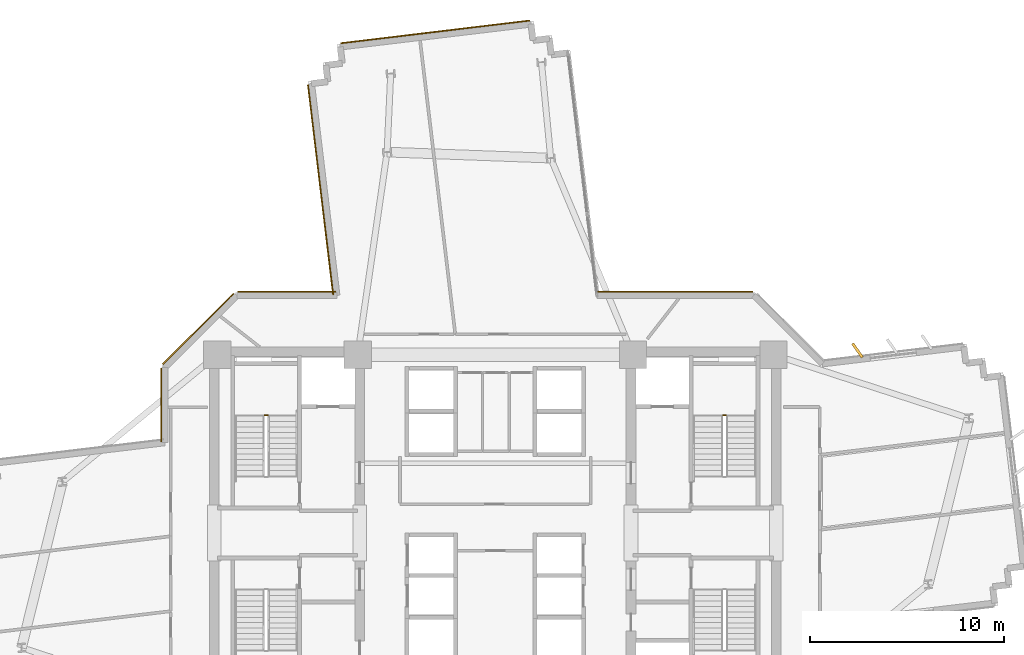
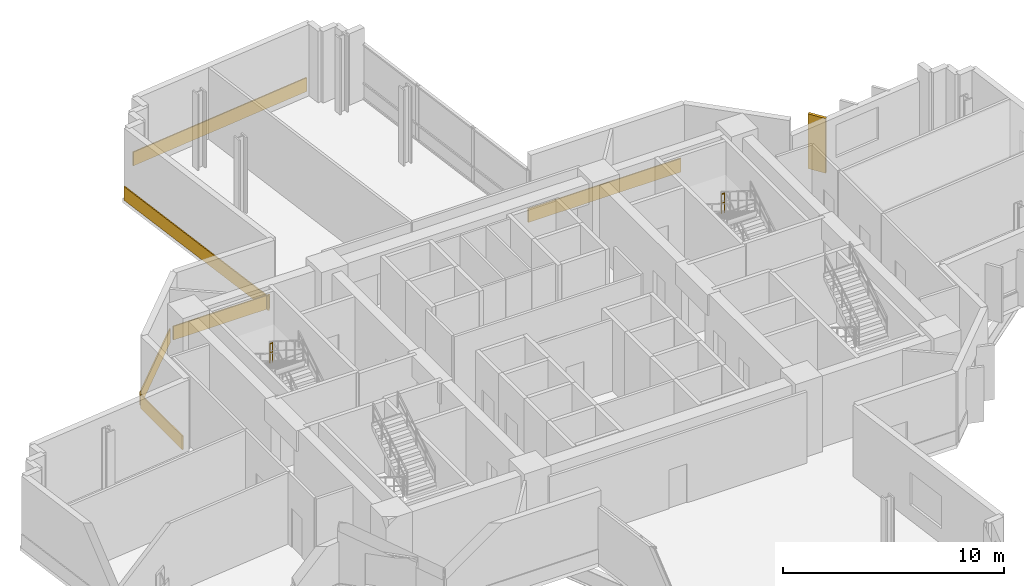
# One storey, part 14 of 15: 7 coverings, 2 railings.
"""IFC4 building model written with IfcOpenShell, lengths in metres."""

from ifc_helpers import new_model, si_unit, direction, frame, origin, origin_2d, place, context, subcontext, project, spatial, rectangle, extrude, source, transform, mapped, material, layer, layer_set, type_object, element, save


model = new_model("IFC4")

# Units and contexts
model_context = context("Model", 3, precision=1e-05, world=origin(), true_north=direction((0.0, 1.0)))
body_context = subcontext(model_context, "Body", "Model", "MODEL_VIEW")
ifc_project = project(units=[si_unit("LENGTHUNIT", "METRE"), si_unit("AREAUNIT", "SQUARE_METRE"), si_unit("VOLUMEUNIT", "CUBIC_METRE"), si_unit("PLANEANGLEUNIT", "RADIAN"), si_unit("MASSUNIT", "GRAM", prefix="KILO")], contexts=[model_context])

# Site, building, storey
site_placement = place(None, origin())
site = spatial("IfcSite", under=ifc_project, at=site_placement, CompositionType="ELEMENT")
building_placement = place(site_placement, origin())
building = spatial("IfcBuilding", under=site, at=building_placement, Name="Zahravan Cultural Tower", CompositionType="ELEMENT")
storey_placement = place(building_placement, frame((0.0, 0.0, 113.10009765625)))
storey = spatial("IfcBuildingStorey", under=building, at=storey_placement, Name="L25", CompositionType="ELEMENT", Elevation=113.10009765625)

# Railings
ifc_material_1 = material(Name="Steel ASTM A572 Grade 50", Category="steel")
railing_type = type_object("IfcRailingType", Name="RL-STAIR-GRD1150", PredefinedType="BALUSTRADE", material=ifc_material_1)
for number, where, name in (
    (1, (24.25, 33.080078125, 2.099853515625), "L25 ST-W1 stair guard 2"),
    (2, (47.89990234375, 33.080078125, 2.099853515625), "L25 ST-E1 stair guard 2"),
):
    element("IfcRailing", number, at=place(storey_placement, frame(where)), inside=storey, type_object=railing_type, Name=name, PredefinedType="BALUSTRADE", context=body_context, shape_type="SweptSolid", body=[
        extrude(rectangle(XDim=0.05, YDim=0.05, at=origin_2d()), frame((0.0, 0.0, 1.0751953125), z_axis=(-1.0, 0.0, 0.0), x_axis=(0.0, -1.0, 0.0)), (0.0, 0.0, 1.0), 0.14990234375),
        extrude(rectangle(XDim=0.032, YDim=0.032, at=origin_2d()), frame((0.0, 0.0, 0.572021484375), z_axis=(-1.0, 0.0, 0.0), x_axis=(0.0, -1.0, 0.0)), (0.0, 0.0, 1.0), 0.14990234375),
        extrude(rectangle(XDim=0.04, YDim=0.04, at=origin_2d()), origin(), (0.0, 0.0, 1.0), 1.10009765625),
        extrude(rectangle(XDim=0.04, YDim=0.04, at=origin_2d()), frame((-0.14990234375, 0.0, 0.0)), (0.0, 0.0, 1.0), 1.10009765625),
    ])

# Coverings
ifc_material_2 = material(Name="Terracotta ceramic cladding", Category="masonry")
ifc_layer = layer(ifc_material_2, 0.06005859375)
ifc_layer_set = layer_set([ifc_layer], Name="Terracotta ceramic cladding")
covering_type = type_object("IfcCoveringType", Name="COV-CLAD-TC60", PredefinedType="CLADDING", material=ifc_layer_set)
shared_shape_1 = source(origin(), body_context, "Body", "SweptSolid", [
    extrude(rectangle(XDim=9.820068359375, YDim=0.06005859375, at=origin_2d()), origin(), (0.0, 0.0, 1.0), 0.760009765625),
])
covering_1_placement = place(storey_placement, frame((32.898193359375, 52.859619140625, 0.02001953125), z_axis=(0.0, 0.0, 1.0), x_axis=(0.992884683056, 0.119079831006, 0.0)))
element("IfcCovering", 3, at=covering_1_placement, inside=storey, type_object=covering_type, Name="L25 Terracotta Spandrel Cladding 46", PredefinedType="CLADDING", context=body_context, shape_type="MappedRepresentation", body=[
    mapped(shared_shape_1, transform((0.0, 0.0, 0.0), x_axis=(1.0, 0.0, 0.0), y_axis=(0.0, 1.0, 0.0), z_axis=(0.0, 0.0, 1.0), scale=1.0)),
])
shared_shape_2 = source(origin(), body_context, "Body", "SweptSolid", [
    extrude(rectangle(XDim=5.157958984375, YDim=0.06005859375, at=origin_2d()), origin(), (0.0, 0.0, 1.0), 0.760009765625),
])
covering_2_placement = place(storey_placement, frame((20.668212890625, 37.53173828125, 0.02001953125), z_axis=(0.0, 0.0, 1.0), x_axis=(0.707106781187, 0.707106781187, 0.0)))
element("IfcCovering", 4, at=covering_2_placement, inside=storey, type_object=covering_type, Name="L25 Terracotta Spandrel Cladding 39", PredefinedType="CLADDING", context=body_context, shape_type="MappedRepresentation", body=[
    mapped(shared_shape_2, transform((0.0, 0.0, 0.0), x_axis=(1.0, 0.0, 0.0), y_axis=(0.0, 1.0, 0.0), z_axis=(0.0, 0.0, 1.0), scale=1.0)),
])
shared_shape_3 = source(origin(), body_context, "Body", "SweptSolid", [
    extrude(rectangle(XDim=0.8798828125, YDim=0.139892578125, at=origin_2d()), origin(), (0.0, 0.0, 1.0), 3.030029296875),
])
covering_3_placement = place(storey_placement, frame((54.68603515625, 36.422607421875, 0.0498046875), z_axis=(0.0, 0.0, 1.0), x_axis=(-0.571286698852, 0.820750575823, 0.0)))
element("IfcCovering", 5, at=covering_3_placement, inside=storey, type_object=covering_type, Name="L25 Herringbone Terracotta Fin 01", PredefinedType="CLADDING", context=body_context, shape_type="MappedRepresentation", body=[
    mapped(shared_shape_3, transform((0.0, 0.0, 0.0), x_axis=(1.0, 0.0, 0.0), y_axis=(0.0, 1.0, 0.0), z_axis=(0.0, 0.0, 1.0), scale=1.0)),
])
shared_shape_4 = source(origin(), body_context, "Body", "SweptSolid", [
    extrude(rectangle(XDim=3.780517578125, YDim=0.06005859375, at=origin_2d()), origin(), (0.0, 0.0, 1.0), 0.760009765625),
])
covering_4_placement = place(storey_placement, frame((18.7548828125, 33.601806640625, 0.02001953125), z_axis=(0.0, 0.0, 1.0), x_axis=(0.0, 1.0, 0.0)))
element("IfcCovering", 6, at=covering_4_placement, inside=storey, type_object=covering_type, Name="L25 Terracotta Spandrel Cladding 38", PredefinedType="CLADDING", context=body_context, shape_type="MappedRepresentation", body=[
    mapped(shared_shape_4, transform((0.0, 0.0, 0.0), x_axis=(1.0, 0.0, 0.0), y_axis=(0.0, 1.0, 0.0), z_axis=(0.0, 0.0, 1.0), scale=1.0)),
])
shared_shape_5 = source(origin(), body_context, "Body", "SweptSolid", [
    extrude(rectangle(XDim=5.063720703125, YDim=0.06005859375, at=origin_2d()), origin(), (0.0, 0.0, 1.0), 0.760009765625),
])
covering_5_placement = place(storey_placement, frame((25.23974609375, 39.445068359375, 0.02001953125), z_axis=(0.0, 0.0, 1.0), x_axis=(1.0, 0.0, 0.0)))
element("IfcCovering", 7, at=covering_5_placement, inside=storey, type_object=covering_type, Name="L25 Terracotta Spandrel Cladding 40", PredefinedType="CLADDING", context=body_context, shape_type="MappedRepresentation", body=[
    mapped(shared_shape_5, transform((0.0, 0.0, 0.0), x_axis=(1.0, 0.0, 0.0), y_axis=(0.0, 1.0, 0.0), z_axis=(0.0, 0.0, 1.0), scale=1.0)),
])
shared_shape_6 = source(origin(), body_context, "Body", "SweptSolid", [
    extrude(rectangle(XDim=10.913330078125, YDim=0.06005859375, at=origin_2d()), origin(), (0.0, 0.0, 1.0), 0.760009765625),
])
covering_6_placement = place(storey_placement, frame((26.982177734375, 44.705322265625, 0.02001953125), z_axis=(0.0, 0.0, 1.0), x_axis=(-0.119097160095, 0.99288260457, 0.0)))
element("IfcCovering", 8, at=covering_6_placement, inside=storey, type_object=covering_type, Name="L25 Terracotta Spandrel Cladding 41", PredefinedType="CLADDING", context=body_context, shape_type="MappedRepresentation", body=[
    mapped(shared_shape_6, transform((0.0, 0.0, 0.0), x_axis=(1.0, 0.0, 0.0), y_axis=(0.0, 1.0, 0.0), z_axis=(0.0, 0.0, 1.0), scale=1.0)),
])
shared_shape_7 = source(origin(), body_context, "Body", "SweptSolid", [
    extrude(rectangle(XDim=8.0048828125, YDim=0.06005859375, at=origin_2d()), origin(), (0.0, 0.0, 1.0), 0.760009765625),
])
covering_7_placement = place(storey_placement, frame((45.28955078125, 39.445068359375, 0.02001953125), z_axis=(0.0, 0.0, 1.0), x_axis=(1.0, 0.0, 0.0)))
element("IfcCovering", 9, at=covering_7_placement, inside=storey, type_object=covering_type, Name="L25 Terracotta Spandrel Cladding 51", PredefinedType="CLADDING", context=body_context, shape_type="MappedRepresentation", body=[
    mapped(shared_shape_7, transform((0.0, 0.0, 0.0), x_axis=(1.0, 0.0, 0.0), y_axis=(0.0, 1.0, 0.0), z_axis=(0.0, 0.0, 1.0), scale=1.0)),
])

save(model, "model.ifc")
